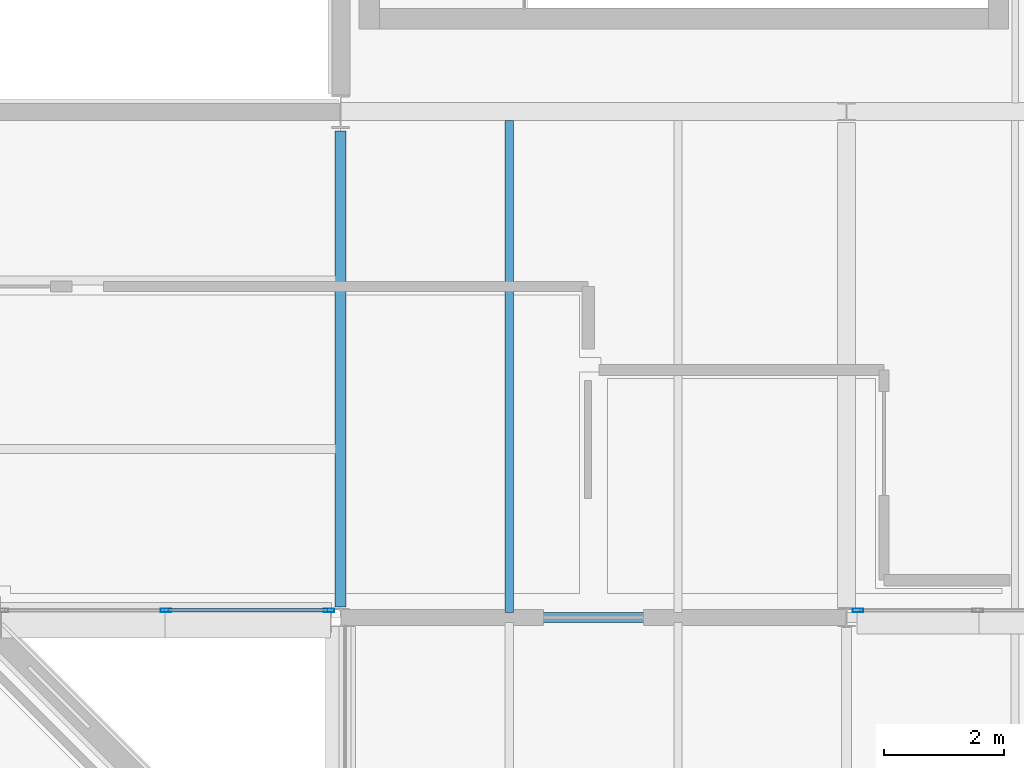
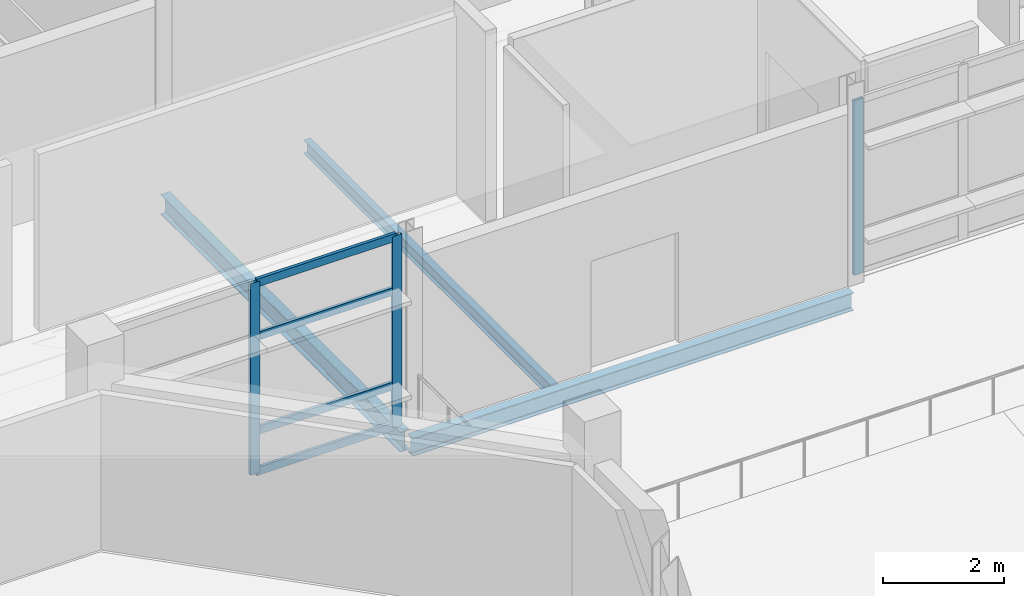
# One storey, part 18 of 151: 7 members, 3 beams, 2 elements without a shape of their own.
"""IFC4 building model written with IfcOpenShell, lengths in metres."""

from ifc_helpers import new_model, si_unit, direction, frame, origin, origin_2d, place, context, subcontext, project, spatial, hollow_rectangle, i_section, extrude, material, material_profile, profile_set, type_object, element, aggregate, save


model = new_model("IFC4")

# Units and contexts
model_context = context("Model", 3, precision=1e-05, world=origin(), true_north=direction((0.0, 1.0)))
body_context = subcontext(model_context, "Body", "Model", "MODEL_VIEW")
ifc_project = project(units=[si_unit("LENGTHUNIT", "METRE"), si_unit("AREAUNIT", "SQUARE_METRE"), si_unit("VOLUMEUNIT", "CUBIC_METRE"), si_unit("PLANEANGLEUNIT", "RADIAN"), si_unit("MASSUNIT", "GRAM", prefix="KILO")], contexts=[model_context])

# Site, building, storey
site_placement = place(None, origin())
site = spatial("IfcSite", under=ifc_project, at=site_placement, CompositionType="ELEMENT")
building_placement = place(site_placement, origin())
building = spatial("IfcBuilding", under=site, at=building_placement, Name="Mersafa Astral City Hall", CompositionType="ELEMENT")
storey_placement = place(building_placement, frame((0.0, 0.0, 9.89990234375)))
storey = spatial("IfcBuildingStorey", under=building, at=storey_placement, Name="L02", CompositionType="ELEMENT", Elevation=9.89990234375)

# Curtain wall, members
ifc_material_1 = material(Name="Anodised bronze aluminium framing", Category="aluminium")
curtain_wall_type_1 = type_object("IfcCurtainWallType", Name="ENV-CW-3", PredefinedType="USERDEFINED", material=ifc_material_1)
curtain_wall_1_placement = place(storey_placement, origin())
curtain_wall_1 = element("IfcCurtainWall", 1, at=curtain_wall_1_placement, inside=storey, type_object=curtain_wall_type_1, Name="L02 Unitised solar curtain wall 104", ObjectType="UNITISED CURTAIN WALL", PredefinedType="USERDEFINED")
ifc_material_profile_1 = material_profile(ifc_material_1, hollow_rectangle(XDim=0.06005859375, YDim=0.179931640625, WallThickness=0.00390625, at=origin_2d()), Name="RHS 60x180x4")
ifc_profile_set_1 = profile_set([ifc_material_profile_1], Name="Anodised bronze aluminium framing")
member_type_1 = type_object("IfcMemberType", Name="ENV-CW-MUL-1", PredefinedType="MULLION", material=ifc_profile_set_1)
member_1_placement = place(storey_placement, frame((89.5, 25.320068359375, -0.001953125), z_axis=(0.0, 0.0, 1.0), x_axis=(0.0, 1.0, 0.0)))
member_1 = element("IfcMember", 2, at=member_1_placement, type_object=member_type_1, Name="CW-3 mullion 2", PredefinedType="MULLION", context=body_context, shape_type="SweptSolid", body=[
    extrude(hollow_rectangle(XDim=0.06005859375, YDim=0.179931640625, WallThickness=0.00390625, at=origin_2d()), origin(), (0.0, 0.0, 1.0), 3.85693359375),
])
member_2_placement = place(storey_placement, frame((92.2080078125, 25.320068359375, -0.001953125), z_axis=(0.0, 0.0, 1.0), x_axis=(0.0, 1.0, 0.0)))
member_2 = element("IfcMember", 3, at=member_2_placement, type_object=member_type_1, Name="CW-3 mullion 3", PredefinedType="MULLION", context=body_context, shape_type="SweptSolid", body=[
    extrude(hollow_rectangle(XDim=0.06005859375, YDim=0.179931640625, WallThickness=0.00390625, at=origin_2d()), origin(), (0.0, 0.0, 1.0), 3.85693359375),
])

# Curtain wall, member
curtain_wall_type_2 = type_object("IfcCurtainWallType", Name="ENV-CW-4", PredefinedType="USERDEFINED", material=ifc_material_1)
curtain_wall_2_placement = place(storey_placement, origin())
curtain_wall_2 = element("IfcCurtainWall", 4, at=curtain_wall_2_placement, inside=storey, type_object=curtain_wall_type_2, Name="L02 Unitised solar curtain wall 105", ObjectType="UNITISED CURTAIN WALL", PredefinedType="USERDEFINED")
member_3_placement = place(storey_placement, frame((100.991943359375, 25.320068359375, -0.001953125), z_axis=(0.0, 0.0, 1.0), x_axis=(0.0, 1.0, 0.0)))
member_3 = element("IfcMember", 5, at=member_3_placement, type_object=member_type_1, Name="CW-4 mullion 1", PredefinedType="MULLION", context=body_context, shape_type="SweptSolid", body=[
    extrude(hollow_rectangle(XDim=0.06005859375, YDim=0.179931640625, WallThickness=0.00390625, at=origin_2d()), origin(), (0.0, 0.0, 1.0), 3.51904296875),
])
aggregate(curtain_wall_2, [member_3])

# Member
ifc_material_profile_2 = material_profile(ifc_material_1, hollow_rectangle(XDim=0.06005859375, YDim=0.159912109375, WallThickness=0.00390625, at=origin_2d()), Name="RHS 60x160x4")
ifc_profile_set_2 = profile_set([ifc_material_profile_2], Name="Anodised bronze aluminium framing")
member_type_2 = type_object("IfcMemberType", Name="ENV-CW-TRN-2", PredefinedType="USERDEFINED", material=ifc_profile_set_2)
member_4_placement = place(storey_placement, frame((89.530029296875, 25.320068359375, 0.028076171875), z_axis=(1.0, 0.0, 0.0), x_axis=(0.0, 1.0, 0.0)))
member_4 = element("IfcMember", 6, at=member_4_placement, type_object=member_type_2, Name="CW-3 transom 2.1", ObjectType="TRANSOM", PredefinedType="USERDEFINED", context=body_context, shape_type="SweptSolid", body=[
    extrude(hollow_rectangle(XDim=0.06005859375, YDim=0.159912109375, WallThickness=0.00390625, at=origin_2d()), origin(), (0.0, 0.0, 1.0), 2.64794921875),
])

member_5_placement = place(storey_placement, frame((89.530029296875, 25.320068359375, 0.85009765625), z_axis=(1.0, 0.0, 0.0), x_axis=(0.0, 1.0, 0.0)))
member_5 = element("IfcMember", 7, at=member_5_placement, type_object=member_type_2, Name="CW-3 transom 2.2", ObjectType="TRANSOM", PredefinedType="USERDEFINED", context=body_context, shape_type="SweptSolid", body=[
    extrude(hollow_rectangle(XDim=0.06005859375, YDim=0.159912109375, WallThickness=0.00390625, at=origin_2d()), origin(), (0.0, 0.0, 1.0), 2.64794921875),
])

member_6_placement = place(storey_placement, frame((89.530029296875, 25.320068359375, 2.75), z_axis=(1.0, 0.0, 0.0), x_axis=(0.0, 1.0, 0.0)))
member_6 = element("IfcMember", 8, at=member_6_placement, type_object=member_type_2, Name="CW-3 transom 2.3", ObjectType="TRANSOM", PredefinedType="USERDEFINED", context=body_context, shape_type="SweptSolid", body=[
    extrude(hollow_rectangle(XDim=0.06005859375, YDim=0.159912109375, WallThickness=0.00390625, at=origin_2d()), origin(), (0.0, 0.0, 1.0), 2.64794921875),
])

member_7_placement = place(storey_placement, frame((89.530029296875, 25.320068359375, 3.8251953125), z_axis=(1.0, 0.0, 0.0), x_axis=(0.0, 1.0, 0.0)))
member_7 = element("IfcMember", 9, at=member_7_placement, type_object=member_type_2, Name="CW-3 transom 2.4", ObjectType="TRANSOM", PredefinedType="USERDEFINED", context=body_context, shape_type="SweptSolid", body=[
    extrude(hollow_rectangle(XDim=0.06005859375, YDim=0.159912109375, WallThickness=0.00390625, at=origin_2d()), origin(), (0.0, 0.0, 1.0), 2.64794921875),
])

aggregate(curtain_wall_1, [member_1, member_2, member_4, member_5, member_6, member_7])

# Beams
ifc_material_2 = material(Name="Steel S355", Category="steel")
ifc_material_profile_3 = material_profile(ifc_material_2, i_section(OverallWidth=0.179931640625, OverallDepth=0.39990234375, WebThickness=0.008544921875, FlangeThickness=0.013427734375, FilletRadius=0.02099609375, at=origin_2d()), Name="IPE 400")
ifc_profile_set_3 = profile_set([ifc_material_profile_3], Name="Steel S355")
beam_type_1 = type_object("IfcBeamType", Name="STR-BM-IPE400", PredefinedType="BEAM", material=ifc_profile_set_3)
beam_1_placement = place(storey_placement, frame((92.39990234375, 25.375, -0.39990234375), z_axis=(0.0, 1.0, 0.0), x_axis=(-1.0, 0.0, 0.0)))
element("IfcBeam", 10, at=beam_1_placement, inside=storey, type_object=beam_type_1, Name="L02 Primary girder Y 11-3", PredefinedType="BEAM", context=body_context, shape_type="SweptSolid", body=[
    extrude(i_section(OverallWidth=0.179931640625, OverallDepth=0.39990234375, WebThickness=0.008544921875, FlangeThickness=0.013427734375, FilletRadius=0.02099609375, at=origin_2d()), origin(), (0.0, 0.0, 1.0), 7.905029296875),
])
ifc_material_profile_4 = material_profile(ifc_material_2, i_section(OverallWidth=0.135009765625, OverallDepth=0.27001953125, WebThickness=0.006591796875, FlangeThickness=0.01025390625, FilletRadius=0.014892578125, at=origin_2d()), Name="IPE 270")
ifc_profile_set_4 = profile_set([ifc_material_profile_4], Name="Steel S355")
beam_type_2 = type_object("IfcBeamType", Name="STR-BM-JOIST-IPE270", PredefinedType="JOIST", material=ifc_profile_set_4)
beam_2_placement = place(storey_placement, frame((95.199951171875, 25.280029296875, -0.3349609375), z_axis=(0.0, 1.0, 0.0), x_axis=(-1.0, 0.0, 0.0)))
element("IfcBeam", 11, at=beam_2_placement, inside=storey, type_object=beam_type_2, Name="L02 Composite secondary floor joist 436", PredefinedType="JOIST", context=body_context, shape_type="SweptSolid", body=[
    extrude(i_section(OverallWidth=0.135009765625, OverallDepth=0.27001953125, WebThickness=0.006591796875, FlangeThickness=0.01025390625, FilletRadius=0.014892578125, at=origin_2d()), origin(), (0.0, 0.0, 1.0), 8.175048828125),
])
ifc_material_profile_5 = material_profile(ifc_material_2, i_section(OverallWidth=0.169921875, OverallDepth=0.360107421875, WebThickness=0.008056640625, FlangeThickness=0.0126953125, FilletRadius=0.01806640625, at=origin_2d()), Name="IPE 360")
ifc_profile_set_5 = profile_set([ifc_material_profile_5], Name="Steel S355")
beam_type_3 = type_object("IfcBeamType", Name="STR-BM-SPANDREL-IPE360", PredefinedType="SPANDREL", material=ifc_profile_set_5)
beam_3_placement = place(storey_placement, frame((92.403076171875, 25.199951171875, -0.3798828125), z_axis=(1.0, 0.0, 0.0), x_axis=(0.0, 1.0, 0.0)))
element("IfcBeam", 12, at=beam_3_placement, inside=storey, type_object=beam_type_3, Name="L02 Primary girder X 11-3", PredefinedType="SPANDREL", context=body_context, shape_type="SweptSolid", body=[
    extrude(i_section(OverallWidth=0.169921875, OverallDepth=0.360107421875, WebThickness=0.008056640625, FlangeThickness=0.0126953125, FilletRadius=0.01806640625, at=origin_2d()), origin(), (0.0, 0.0, 1.0), 8.39404296875),
])

save(model, "model.ifc")
